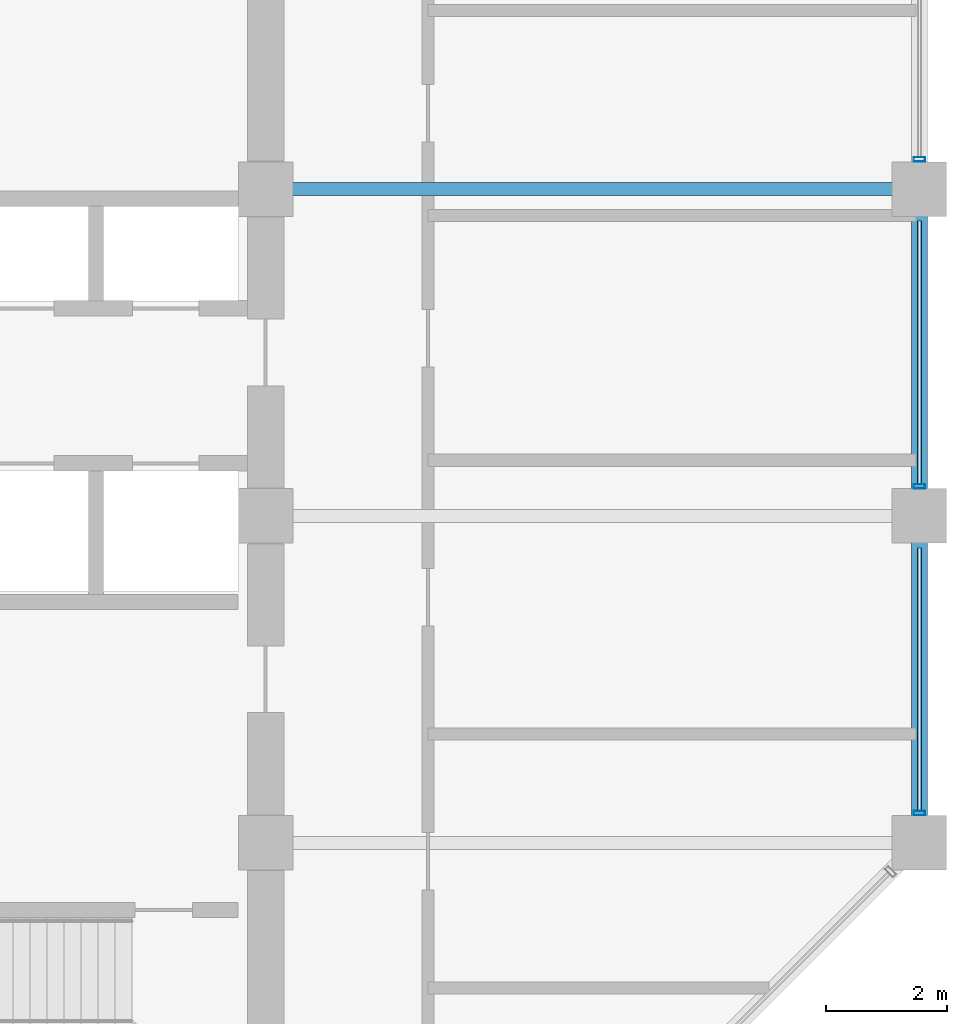
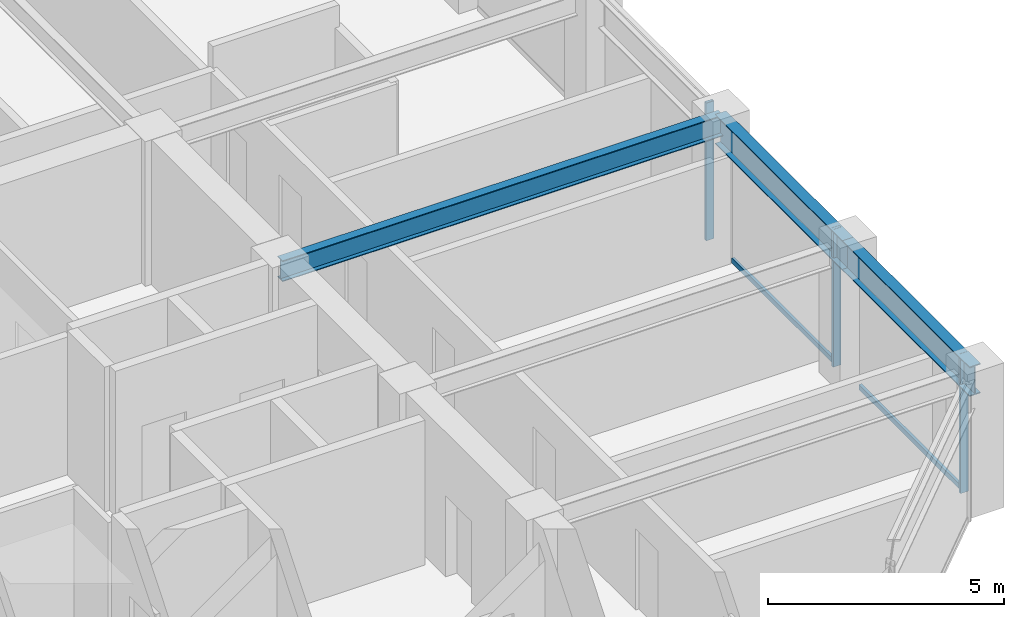
# One storey, part 14 of 32: 5 members, 3 beams, 1 element without a shape of its own.
"""IFC4 building model written with IfcOpenShell, lengths in metres."""

from ifc_helpers import new_model, si_unit, direction, frame, origin, origin_2d, place, context, subcontext, project, spatial, hollow_rectangle, i_section, extrude, material, layer, layer_set, material_profile, profile_set, type_object, element, aggregate, save


model = new_model("IFC4")

# Units and contexts
model_context = context("Model", 3, precision=1e-05, world=origin(), true_north=direction((0.0, 1.0)))
body_context = subcontext(model_context, "Body", "Model", "MODEL_VIEW")
ifc_project = project(units=[si_unit("LENGTHUNIT", "METRE"), si_unit("AREAUNIT", "SQUARE_METRE"), si_unit("VOLUMEUNIT", "CUBIC_METRE"), si_unit("PLANEANGLEUNIT", "RADIAN"), si_unit("MASSUNIT", "GRAM", prefix="KILO")], contexts=[model_context])

# Site, building, storey
site_placement = place(None, origin())
site = spatial("IfcSite", under=ifc_project, at=site_placement, CompositionType="ELEMENT")
building_placement = place(site_placement, origin())
building = spatial("IfcBuilding", under=site, at=building_placement, Name="Surkhivell Harbour Commons", CompositionType="ELEMENT")
storey_placement = place(building_placement, frame((0.0, 0.0, 204.75)))
storey = spatial("IfcBuildingStorey", under=building, at=storey_placement, Name="L53", CompositionType="ELEMENT", Elevation=204.75)

# Beams
ifc_material_1 = material(Name="Steel S355", Category="steel")
ifc_material_profile_1 = material_profile(ifc_material_1, i_section(OverallWidth=0.2119140625, OverallDepth=0.5439453125, WebThickness=0.0126953125, FlangeThickness=0.021240234375, at=origin_2d()), Name="UB533x210x122")
ifc_profile_set_1 = profile_set([ifc_material_profile_1], Name="Steel S355")
beam_type_1 = type_object("IfcBeamType", Name="BM-GRD-533A", PredefinedType="BEAM", material=ifc_profile_set_1)
beam_placement = place(storey_placement, frame((10.800048828125, 5.39990234375, 3.298095703125), z_axis=(1.0, 0.0, 0.0), x_axis=(0.0, 1.0, 0.0)))
element("IfcBeam", 1, at=beam_placement, inside=storey, type_object=beam_type_1, Name="L53 Floor Girder (10.8,5.4)", PredefinedType="BEAM", context=body_context, shape_type="SweptSolid", body=[
    extrude(i_section(OverallWidth=0.2119140625, OverallDepth=0.5439453125, WebThickness=0.0126953125, FlangeThickness=0.021240234375, at=origin_2d()), origin(), (0.0, 0.0, 1.0), 10.800048828125),
])
ifc_material_profile_2 = material_profile(ifc_material_1, i_section(OverallWidth=0.26806640625, OverallDepth=0.77001953125, WebThickness=0.015625, FlangeThickness=0.025390625, at=origin_2d()), Name="UB762x267x197")
ifc_profile_set_2 = profile_set([ifc_material_profile_2], Name="Steel S355")
beam_type_2 = type_object("IfcBeamType", Name="BM-SPN-762", PredefinedType="SPANDREL", material=ifc_profile_set_2)
for number, where, z_axis, x_axis, name in (
    (2, (21.60009765625, -5.39990234375, 3.18505859375), (0.0, 1.0, 0.0), (-1.0, 0.0, 0.0), "L53 Tube Spandrel (21.6,-5.4)"),
    (3, (21.60009765625, 0.0, 3.18505859375), (0.0, 1.0, 0.0), (-1.0, 0.0, 0.0), "L53 Tube Spandrel (21.6,0.0)"),
):
    element("IfcBeam", number, at=place(storey_placement, frame(where, z_axis=z_axis, x_axis=x_axis)), inside=storey, type_object=beam_type_2, Name=name, PredefinedType="SPANDREL", context=body_context, shape_type="SweptSolid", body=[
        extrude(i_section(OverallWidth=0.26806640625, OverallDepth=0.77001953125, WebThickness=0.015625, FlangeThickness=0.025390625, at=origin_2d()), origin(), (0.0, 0.0, 1.0), 5.39990234375),
    ])

# Curtain wall, members
ifc_material_2 = material(Name="Anodised pale-metal aluminium and insulated glazing", Category="aluminium")
ifc_layer = layer(ifc_material_2, 0.18994140625)
ifc_layer_set = layer_set([ifc_layer], Name="Anodised pale-metal aluminium and insulated glazing")
curtain_wall_type = type_object("IfcCurtainWallType", Name="CW-SYS-Z3", PredefinedType="NOTDEFINED", material=ifc_layer_set)
curtain_wall_placement = place(storey_placement, origin())
curtain_wall = element("IfcCurtainWall", 4, at=curtain_wall_placement, inside=storey, type_object=curtain_wall_type, Name="L53 Curtain Wall CW-L53-E02", PredefinedType="NOTDEFINED")
ifc_material_3 = material(Name="Anodised pale-metal aluminium alloy 6063-T6", Category="aluminium")
ifc_material_profile_3 = material_profile(ifc_material_3, hollow_rectangle(XDim=0.074951171875, YDim=0.18994140625, WallThickness=0.00390625, at=origin_2d()), Name="ALU-MULL-75x190")
ifc_profile_set_3 = profile_set([ifc_material_profile_3], Name="Anodised pale-metal aluminium alloy 6063-T6")
member_type_1 = type_object("IfcMemberType", Name="CWM-190", PredefinedType="MULLION", material=ifc_profile_set_3)
member_1_placement = place(storey_placement, frame((21.60009765625, -4.910400390625, 0.0), z_axis=(0.0, 0.0, 1.0), x_axis=(0.0, 1.0, 0.0)))
member_1 = element("IfcMember", 5, at=member_1_placement, type_object=member_type_1, Name="CW-Z3 mullion 1", PredefinedType="MULLION", context=body_context, shape_type="SweptSolid", body=[
    extrude(hollow_rectangle(XDim=0.074951171875, YDim=0.18994140625, WallThickness=0.00390625, at=origin_2d()), origin(), (0.0, 0.0, 1.0), 3.570068359375),
])
member_2_placement = place(storey_placement, frame((21.60009765625, 0.489501953125, 0.0), z_axis=(0.0, 0.0, 1.0), x_axis=(0.0, 1.0, 0.0)))
member_2 = element("IfcMember", 6, at=member_2_placement, type_object=member_type_1, Name="CW-Z3 mullion 2", PredefinedType="MULLION", context=body_context, shape_type="SweptSolid", body=[
    extrude(hollow_rectangle(XDim=0.074951171875, YDim=0.18994140625, WallThickness=0.00390625, at=origin_2d()), origin(), (0.0, 0.0, 1.0), 3.570068359375),
])
member_3_placement = place(storey_placement, frame((21.60009765625, 5.889404296875, 0.0), z_axis=(0.0, 0.0, 1.0), x_axis=(0.0, 1.0, 0.0)))
member_3 = element("IfcMember", 7, at=member_3_placement, type_object=member_type_1, Name="CW-Z3 mullion 3", PredefinedType="MULLION", context=body_context, shape_type="SweptSolid", body=[
    extrude(hollow_rectangle(XDim=0.074951171875, YDim=0.18994140625, WallThickness=0.00390625, at=origin_2d()), origin(), (0.0, 0.0, 1.0), 3.570068359375),
])
ifc_material_4 = material(Name="Champagne anodised aluminium alloy 6063-T6", Category="aluminium")
ifc_material_profile_4 = material_profile(ifc_material_4, hollow_rectangle(XDim=0.070068359375, YDim=0.1298828125, WallThickness=0.00341796875, at=origin_2d()), Name="ALU-TRAN-70x130")
ifc_profile_set_4 = profile_set([ifc_material_profile_4], Name="Champagne anodised aluminium alloy 6063-T6")
member_type_2 = type_object("IfcMemberType", Name="CWT-130", PredefinedType="USERDEFINED", material=ifc_profile_set_4)
member_4_placement = place(storey_placement, frame((21.60009765625, -4.873046875, 0.06494140625), z_axis=(0.0, 1.0, 0.0), x_axis=(-1.0, 0.0, 0.0)))
member_4 = element("IfcMember", 8, at=member_4_placement, type_object=member_type_2, Name="CW-Z3 transom 1.1", ObjectType="TRANSOM", PredefinedType="USERDEFINED", context=body_context, shape_type="SweptSolid", body=[
    extrude(hollow_rectangle(XDim=0.070068359375, YDim=0.1298828125, WallThickness=0.00341796875, at=origin_2d()), origin(), (0.0, 0.0, 1.0), 4.345947265625),
])
member_5_placement = place(storey_placement, frame((21.60009765625, 0.527099609375, 0.06494140625), z_axis=(0.0, 1.0, 0.0), x_axis=(-1.0, 0.0, 0.0)))
member_5 = element("IfcMember", 9, at=member_5_placement, type_object=member_type_2, Name="CW-Z3 transom 2.1", ObjectType="TRANSOM", PredefinedType="USERDEFINED", context=body_context, shape_type="SweptSolid", body=[
    extrude(hollow_rectangle(XDim=0.070068359375, YDim=0.1298828125, WallThickness=0.00341796875, at=origin_2d()), origin(), (0.0, 0.0, 1.0), 4.345947265625),
])
aggregate(curtain_wall, [member_1, member_4, member_2, member_5, member_3])

save(model, "model.ifc")
